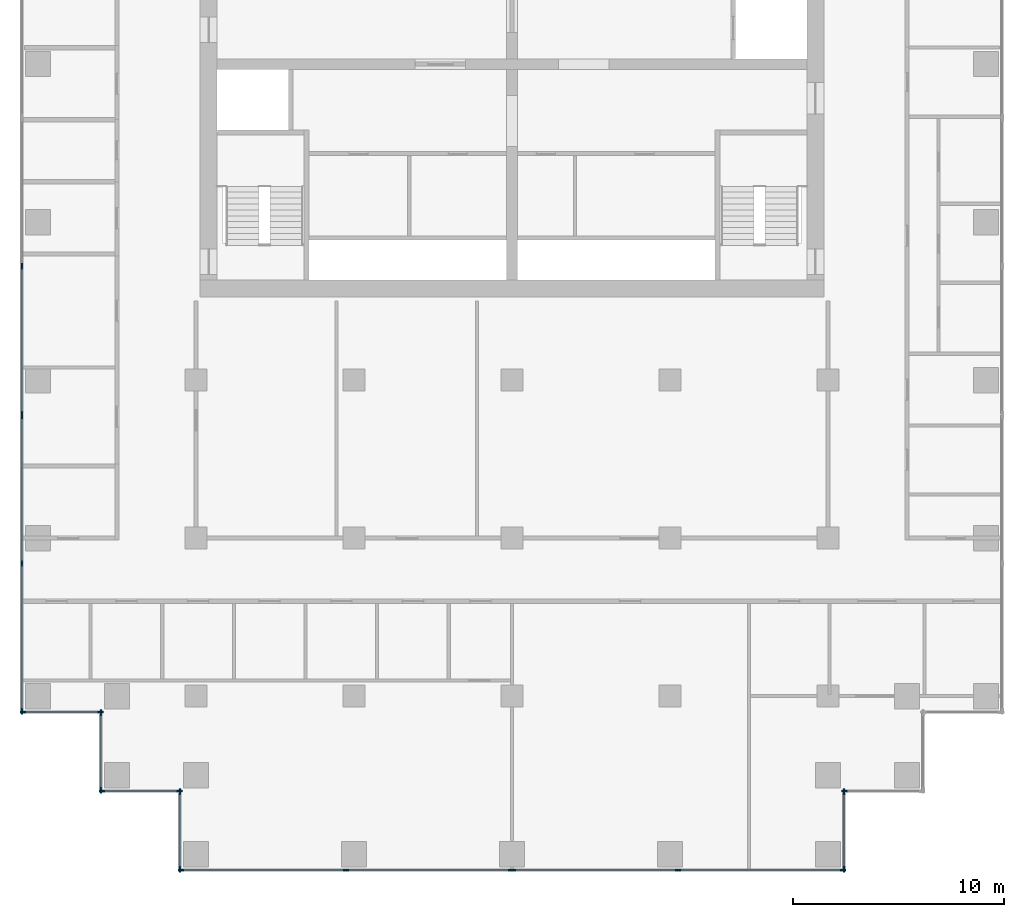
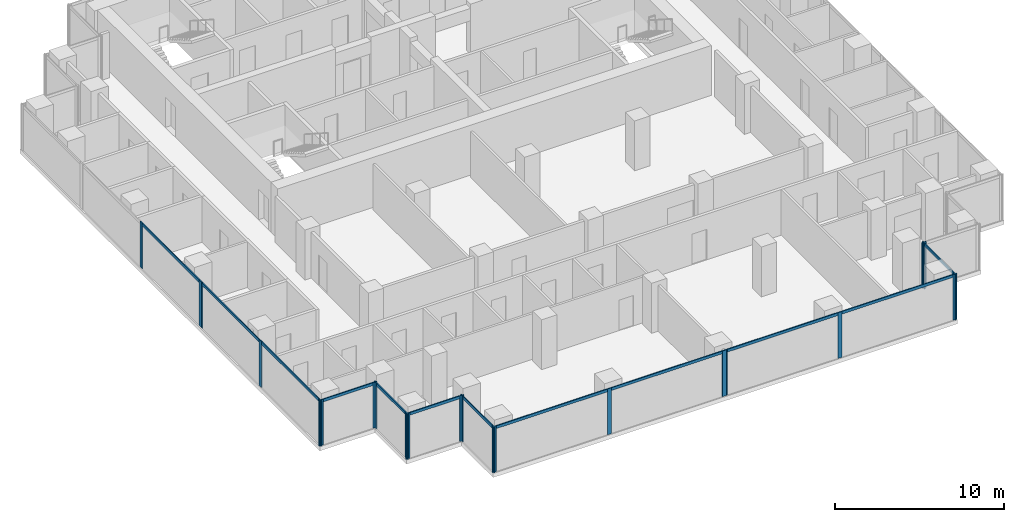
# One storey, part 2 of 11: 34 members, 10 elements without a shape of their own.
"""IFC4 building model written with IfcOpenShell, lengths in metres."""

from ifc_helpers import new_model, si_unit, direction, frame, origin, origin_2d, place, context, subcontext, project, spatial, rectangle, extrude, material, material_profile, profile_set, type_object, element, aggregate, save


model = new_model("IFC4")

# Units and contexts
model_context = context("Model", 3, precision=1e-05, world=origin(), true_north=direction((0.0, 1.0)))
body_context = subcontext(model_context, "Body", "Model", "MODEL_VIEW")
ifc_project = project(units=[si_unit("LENGTHUNIT", "METRE"), si_unit("AREAUNIT", "SQUARE_METRE"), si_unit("VOLUMEUNIT", "CUBIC_METRE"), si_unit("PLANEANGLEUNIT", "RADIAN"), si_unit("MASSUNIT", "GRAM", prefix="KILO")], contexts=[model_context])

# Site, building, storey
site_placement = place(None, origin())
site = spatial("IfcSite", under=ifc_project, at=site_placement, CompositionType="ELEMENT")
building_placement = place(site_placement, origin())
building = spatial("IfcBuilding", under=site, at=building_placement, Name="Pilkhan Gate Tower", CompositionType="ELEMENT")
storey_placement = place(building_placement, frame((0.0, 0.0, 151.300048828125)))
storey = spatial("IfcBuildingStorey", under=building, at=storey_placement, Name="L38", CompositionType="ELEMENT", Elevation=151.300048828125)

# Curtain wall, members
ifc_material_1 = material(Name="Pale anodised aluminium, clear low-iron double glazing", Category="aluminium")
curtain_wall_type = type_object("IfcCurtainWallType", Name="Office unitised curtain wall CW-O1", PredefinedType="USERDEFINED", material=ifc_material_1)
curtain_wall_1_placement = place(storey_placement, origin())
curtain_wall_1 = element("IfcCurtainWall", 1, at=curtain_wall_1_placement, inside=storey, type_object=curtain_wall_type, Name="Office unitised curtain wall CW-O1 L38 W", ObjectType="UNITISED CURTAIN WALL", PredefinedType="USERDEFINED")
ifc_material_2 = material(Name="Pale anodised aluminium", Category="aluminium")
ifc_material_profile_1 = material_profile(ifc_material_2, rectangle(XDim=0.070068359375, YDim=0.27490234375, at=origin_2d()), Name="Mullion 275x70")
ifc_profile_set_1 = profile_set([ifc_material_profile_1], Name="Pale anodised aluminium")
member_type_1 = type_object("IfcMemberType", Name="Mullion CW-O1 275x70", PredefinedType="MULLION", material=ifc_profile_set_1)
member_1_placement = place(storey_placement, frame((51.75, 51.784912109375, 0.0), z_axis=(0.0, 0.0, 1.0), x_axis=(-1.0, 0.0, 0.0)))
member_1 = element("IfcMember", 2, at=member_1_placement, type_object=member_type_1, Name="CW-O1 mullion 1", PredefinedType="MULLION", context=body_context, shape_type="SweptSolid", body=[
    extrude(rectangle(XDim=0.070068359375, YDim=0.27490234375, at=origin_2d()), origin(), (0.0, 0.0, 1.0), 3.300048828125),
])
member_2_placement = place(storey_placement, frame((51.75, 58.800048828125, 0.0), z_axis=(0.0, 0.0, 1.0), x_axis=(-1.0, 0.0, 0.0)))
member_2 = element("IfcMember", 3, at=member_2_placement, type_object=member_type_1, Name="CW-O1 mullion 2", PredefinedType="MULLION", context=body_context, shape_type="SweptSolid", body=[
    extrude(rectangle(XDim=0.070068359375, YDim=0.27490234375, at=origin_2d()), origin(), (0.0, 0.0, 1.0), 3.300048828125),
])
member_3_placement = place(storey_placement, frame((51.75, 65.81494140625, 0.0), z_axis=(0.0, 0.0, 1.0), x_axis=(-1.0, 0.0, 0.0)))
member_3 = element("IfcMember", 4, at=member_3_placement, type_object=member_type_1, Name="CW-O1 mullion 3", PredefinedType="MULLION", context=body_context, shape_type="SweptSolid", body=[
    extrude(rectangle(XDim=0.070068359375, YDim=0.27490234375, at=origin_2d()), origin(), (0.0, 0.0, 1.0), 3.300048828125),
])

curtain_wall_2_placement = place(storey_placement, origin())
curtain_wall_2 = element("IfcCurtainWall", 5, at=curtain_wall_2_placement, inside=storey, type_object=curtain_wall_type, Name="Office unitised curtain wall CW-O1 L38 W", ObjectType="UNITISED CURTAIN WALL", PredefinedType="USERDEFINED")
member_4_placement = place(storey_placement, frame((51.75, 65.885009765625, 0.0), z_axis=(0.0, 0.0, 1.0), x_axis=(-1.0, 0.0, 0.0)))
member_4 = element("IfcMember", 6, at=member_4_placement, type_object=member_type_1, Name="CW-O1 mullion 1", PredefinedType="MULLION", context=body_context, shape_type="SweptSolid", body=[
    extrude(rectangle(XDim=0.070068359375, YDim=0.27490234375, at=origin_2d()), origin(), (0.0, 0.0, 1.0), 3.300048828125),
])
member_5_placement = place(storey_placement, frame((51.75, 72.89990234375, 0.0), z_axis=(0.0, 0.0, 1.0), x_axis=(-1.0, 0.0, 0.0)))
member_5 = element("IfcMember", 7, at=member_5_placement, type_object=member_type_1, Name="CW-O1 mullion 2", PredefinedType="MULLION", context=body_context, shape_type="SweptSolid", body=[
    extrude(rectangle(XDim=0.070068359375, YDim=0.27490234375, at=origin_2d()), origin(), (0.0, 0.0, 1.0), 3.300048828125),
])

curtain_wall_3_placement = place(storey_placement, origin())
curtain_wall_3 = element("IfcCurtainWall", 8, at=curtain_wall_3_placement, inside=storey, type_object=curtain_wall_type, Name="Office unitised curtain wall CW-O1 L38 S", ObjectType="UNITISED CURTAIN WALL", PredefinedType="USERDEFINED")
member_6_placement = place(storey_placement, frame((51.784912109375, 51.75, 0.0), z_axis=(0.0, 0.0, 1.0), x_axis=(0.0, 1.0, 0.0)))
member_6 = element("IfcMember", 9, at=member_6_placement, type_object=member_type_1, Name="CW-O1 mullion 1", PredefinedType="MULLION", context=body_context, shape_type="SweptSolid", body=[
    extrude(rectangle(XDim=0.070068359375, YDim=0.27490234375, at=origin_2d()), origin(), (0.0, 0.0, 1.0), 3.300048828125),
])
member_7_placement = place(storey_placement, frame((55.465087890625, 51.75, 0.0), z_axis=(0.0, 0.0, 1.0), x_axis=(0.0, 1.0, 0.0)))
member_7 = element("IfcMember", 10, at=member_7_placement, type_object=member_type_1, Name="CW-O1 mullion 2", PredefinedType="MULLION", context=body_context, shape_type="SweptSolid", body=[
    extrude(rectangle(XDim=0.070068359375, YDim=0.27490234375, at=origin_2d()), origin(), (0.0, 0.0, 1.0), 3.300048828125),
])

curtain_wall_4_placement = place(storey_placement, origin())
curtain_wall_4 = element("IfcCurtainWall", 11, at=curtain_wall_4_placement, inside=storey, type_object=curtain_wall_type, Name="Office unitised curtain wall CW-O1 L38 W", ObjectType="UNITISED CURTAIN WALL", PredefinedType="USERDEFINED")
member_8_placement = place(storey_placement, frame((55.5, 48.034912109375, 0.0), z_axis=(0.0, 0.0, 1.0), x_axis=(-1.0, 0.0, 0.0)))
member_8 = element("IfcMember", 12, at=member_8_placement, type_object=member_type_1, Name="CW-O1 mullion 1", PredefinedType="MULLION", context=body_context, shape_type="SweptSolid", body=[
    extrude(rectangle(XDim=0.070068359375, YDim=0.27490234375, at=origin_2d()), origin(), (0.0, 0.0, 1.0), 3.300048828125),
])
member_9_placement = place(storey_placement, frame((55.5, 51.715087890625, 0.0), z_axis=(0.0, 0.0, 1.0), x_axis=(-1.0, 0.0, 0.0)))
member_9 = element("IfcMember", 13, at=member_9_placement, type_object=member_type_1, Name="CW-O1 mullion 2", PredefinedType="MULLION", context=body_context, shape_type="SweptSolid", body=[
    extrude(rectangle(XDim=0.070068359375, YDim=0.27490234375, at=origin_2d()), origin(), (0.0, 0.0, 1.0), 3.300048828125),
])

curtain_wall_5_placement = place(storey_placement, origin())
curtain_wall_5 = element("IfcCurtainWall", 14, at=curtain_wall_5_placement, inside=storey, type_object=curtain_wall_type, Name="Office unitised curtain wall CW-O1 L38 S", ObjectType="UNITISED CURTAIN WALL", PredefinedType="USERDEFINED")
member_10_placement = place(storey_placement, frame((55.534912109375, 48.0, 0.0), z_axis=(0.0, 0.0, 1.0), x_axis=(0.0, 1.0, 0.0)))
member_10 = element("IfcMember", 15, at=member_10_placement, type_object=member_type_1, Name="CW-O1 mullion 1", PredefinedType="MULLION", context=body_context, shape_type="SweptSolid", body=[
    extrude(rectangle(XDim=0.070068359375, YDim=0.27490234375, at=origin_2d()), origin(), (0.0, 0.0, 1.0), 3.300048828125),
])
member_11_placement = place(storey_placement, frame((59.215087890625, 48.0, 0.0), z_axis=(0.0, 0.0, 1.0), x_axis=(0.0, 1.0, 0.0)))
member_11 = element("IfcMember", 16, at=member_11_placement, type_object=member_type_1, Name="CW-O1 mullion 2", PredefinedType="MULLION", context=body_context, shape_type="SweptSolid", body=[
    extrude(rectangle(XDim=0.070068359375, YDim=0.27490234375, at=origin_2d()), origin(), (0.0, 0.0, 1.0), 3.300048828125),
])

curtain_wall_6_placement = place(storey_placement, origin())
curtain_wall_6 = element("IfcCurtainWall", 17, at=curtain_wall_6_placement, inside=storey, type_object=curtain_wall_type, Name="Office unitised curtain wall CW-O1 L38 W", ObjectType="UNITISED CURTAIN WALL", PredefinedType="USERDEFINED")
member_12_placement = place(storey_placement, frame((59.25, 44.284912109375, 0.0), z_axis=(0.0, 0.0, 1.0), x_axis=(-1.0, 0.0, 0.0)))
member_12 = element("IfcMember", 18, at=member_12_placement, type_object=member_type_1, Name="CW-O1 mullion 1", PredefinedType="MULLION", context=body_context, shape_type="SweptSolid", body=[
    extrude(rectangle(XDim=0.070068359375, YDim=0.27490234375, at=origin_2d()), origin(), (0.0, 0.0, 1.0), 3.300048828125),
])
member_13_placement = place(storey_placement, frame((59.25, 47.965087890625, 0.0), z_axis=(0.0, 0.0, 1.0), x_axis=(-1.0, 0.0, 0.0)))
member_13 = element("IfcMember", 19, at=member_13_placement, type_object=member_type_1, Name="CW-O1 mullion 2", PredefinedType="MULLION", context=body_context, shape_type="SweptSolid", body=[
    extrude(rectangle(XDim=0.070068359375, YDim=0.27490234375, at=origin_2d()), origin(), (0.0, 0.0, 1.0), 3.300048828125),
])

curtain_wall_7_placement = place(storey_placement, origin())
curtain_wall_7 = element("IfcCurtainWall", 20, at=curtain_wall_7_placement, inside=storey, type_object=curtain_wall_type, Name="Office unitised curtain wall CW-O1 L38 S", ObjectType="UNITISED CURTAIN WALL", PredefinedType="USERDEFINED")
member_14_placement = place(storey_placement, frame((59.284912109375, 44.25, 0.0), z_axis=(0.0, 0.0, 1.0), x_axis=(0.0, 1.0, 0.0)))
member_14 = element("IfcMember", 21, at=member_14_placement, type_object=member_type_1, Name="CW-O1 mullion 1", PredefinedType="MULLION", context=body_context, shape_type="SweptSolid", body=[
    extrude(rectangle(XDim=0.070068359375, YDim=0.27490234375, at=origin_2d()), origin(), (0.0, 0.0, 1.0), 3.300048828125),
])
member_15_placement = place(storey_placement, frame((67.125, 44.25, 0.0), z_axis=(0.0, 0.0, 1.0), x_axis=(0.0, 1.0, 0.0)))
member_15 = element("IfcMember", 22, at=member_15_placement, type_object=member_type_1, Name="CW-O1 mullion 2", PredefinedType="MULLION", context=body_context, shape_type="SweptSolid", body=[
    extrude(rectangle(XDim=0.070068359375, YDim=0.27490234375, at=origin_2d()), origin(), (0.0, 0.0, 1.0), 3.300048828125),
])
member_16_placement = place(storey_placement, frame((74.965087890625, 44.25, 0.0), z_axis=(0.0, 0.0, 1.0), x_axis=(0.0, 1.0, 0.0)))
member_16 = element("IfcMember", 23, at=member_16_placement, type_object=member_type_1, Name="CW-O1 mullion 3", PredefinedType="MULLION", context=body_context, shape_type="SweptSolid", body=[
    extrude(rectangle(XDim=0.070068359375, YDim=0.27490234375, at=origin_2d()), origin(), (0.0, 0.0, 1.0), 3.300048828125),
])

curtain_wall_8_placement = place(storey_placement, origin())
curtain_wall_8 = element("IfcCurtainWall", 24, at=curtain_wall_8_placement, inside=storey, type_object=curtain_wall_type, Name="Office unitised curtain wall CW-O1 L38 S", ObjectType="UNITISED CURTAIN WALL", PredefinedType="USERDEFINED")
member_17_placement = place(storey_placement, frame((75.034912109375, 44.25, 0.0), z_axis=(0.0, 0.0, 1.0), x_axis=(0.0, 1.0, 0.0)))
member_17 = element("IfcMember", 25, at=member_17_placement, type_object=member_type_1, Name="CW-O1 mullion 1", PredefinedType="MULLION", context=body_context, shape_type="SweptSolid", body=[
    extrude(rectangle(XDim=0.070068359375, YDim=0.27490234375, at=origin_2d()), origin(), (0.0, 0.0, 1.0), 3.300048828125),
])
member_18_placement = place(storey_placement, frame((82.875, 44.25, 0.0), z_axis=(0.0, 0.0, 1.0), x_axis=(0.0, 1.0, 0.0)))
member_18 = element("IfcMember", 26, at=member_18_placement, type_object=member_type_1, Name="CW-O1 mullion 2", PredefinedType="MULLION", context=body_context, shape_type="SweptSolid", body=[
    extrude(rectangle(XDim=0.070068359375, YDim=0.27490234375, at=origin_2d()), origin(), (0.0, 0.0, 1.0), 3.300048828125),
])
member_19_placement = place(storey_placement, frame((90.715087890625, 44.25, 0.0), z_axis=(0.0, 0.0, 1.0), x_axis=(0.0, 1.0, 0.0)))
member_19 = element("IfcMember", 27, at=member_19_placement, type_object=member_type_1, Name="CW-O1 mullion 3", PredefinedType="MULLION", context=body_context, shape_type="SweptSolid", body=[
    extrude(rectangle(XDim=0.070068359375, YDim=0.27490234375, at=origin_2d()), origin(), (0.0, 0.0, 1.0), 3.300048828125),
])

curtain_wall_9_placement = place(storey_placement, origin())
curtain_wall_9 = element("IfcCurtainWall", 28, at=curtain_wall_9_placement, inside=storey, type_object=curtain_wall_type, Name="Office unitised curtain wall CW-O1 L38 E", ObjectType="UNITISED CURTAIN WALL", PredefinedType="USERDEFINED")
member_20_placement = place(storey_placement, frame((90.75, 44.284912109375, 0.0), z_axis=(0.0, 0.0, 1.0), x_axis=(-1.0, 0.0, 0.0)))
member_20 = element("IfcMember", 29, at=member_20_placement, type_object=member_type_1, Name="CW-O1 mullion 1", PredefinedType="MULLION", context=body_context, shape_type="SweptSolid", body=[
    extrude(rectangle(XDim=0.070068359375, YDim=0.27490234375, at=origin_2d()), origin(), (0.0, 0.0, 1.0), 3.300048828125),
])
member_21_placement = place(storey_placement, frame((90.75, 47.965087890625, 0.0), z_axis=(0.0, 0.0, 1.0), x_axis=(-1.0, 0.0, 0.0)))
member_21 = element("IfcMember", 30, at=member_21_placement, type_object=member_type_1, Name="CW-O1 mullion 2", PredefinedType="MULLION", context=body_context, shape_type="SweptSolid", body=[
    extrude(rectangle(XDim=0.070068359375, YDim=0.27490234375, at=origin_2d()), origin(), (0.0, 0.0, 1.0), 3.300048828125),
])

# Curtain wall, member
curtain_wall_10_placement = place(storey_placement, origin())
curtain_wall_10 = element("IfcCurtainWall", 31, at=curtain_wall_10_placement, inside=storey, type_object=curtain_wall_type, Name="Office unitised curtain wall CW-O1 L38 S", ObjectType="UNITISED CURTAIN WALL", PredefinedType="USERDEFINED")
member_22_placement = place(storey_placement, frame((90.784912109375, 48.0, 0.0), z_axis=(0.0, 0.0, 1.0), x_axis=(0.0, 1.0, 0.0)))
member_22 = element("IfcMember", 32, at=member_22_placement, type_object=member_type_1, Name="CW-O1 mullion 1", PredefinedType="MULLION", context=body_context, shape_type="SweptSolid", body=[
    extrude(rectangle(XDim=0.070068359375, YDim=0.27490234375, at=origin_2d()), origin(), (0.0, 0.0, 1.0), 3.300048828125),
])
aggregate(curtain_wall_10, [member_22])

# Member
ifc_material_profile_2 = material_profile(ifc_material_2, rectangle(XDim=0.070068359375, YDim=0.199951171875, at=origin_2d()), Name="Transom 200x70")
ifc_profile_set_2 = profile_set([ifc_material_profile_2], Name="Pale anodised aluminium")
member_type_2 = type_object("IfcMemberType", Name="Transom CW-O1 200x70", PredefinedType="USERDEFINED", material=ifc_profile_set_2)
member_23_placement = place(storey_placement, frame((51.75, 51.820068359375, 3.199951171875), z_axis=(0.0, 1.0, 0.0), x_axis=(-1.0, 0.0, 0.0)))
member_23 = element("IfcMember", 33, at=member_23_placement, type_object=member_type_2, Name="CW-O1 transom 1", ObjectType="TRANSOM", PredefinedType="USERDEFINED", context=body_context, shape_type="SweptSolid", body=[
    extrude(rectangle(XDim=0.070068359375, YDim=0.199951171875, at=origin_2d()), origin(), (0.0, 0.0, 1.0), 6.94482421875),
])

member_24_placement = place(storey_placement, frame((51.75, 58.8349609375, 3.199951171875), z_axis=(0.0, 1.0, 0.0), x_axis=(-1.0, 0.0, 0.0)))
member_24 = element("IfcMember", 34, at=member_24_placement, type_object=member_type_2, Name="CW-O1 transom 2", ObjectType="TRANSOM", PredefinedType="USERDEFINED", context=body_context, shape_type="SweptSolid", body=[
    extrude(rectangle(XDim=0.070068359375, YDim=0.199951171875, at=origin_2d()), origin(), (0.0, 0.0, 1.0), 6.945068359375),
])

aggregate(curtain_wall_1, [member_1, member_2, member_3, member_23, member_24])

member_25_placement = place(storey_placement, frame((51.75, 65.919921875, 3.199951171875), z_axis=(0.0, 1.0, 0.0), x_axis=(-1.0, 0.0, 0.0)))
member_25 = element("IfcMember", 35, at=member_25_placement, type_object=member_type_2, Name="CW-O1 transom 1", ObjectType="TRANSOM", PredefinedType="USERDEFINED", context=body_context, shape_type="SweptSolid", body=[
    extrude(rectangle(XDim=0.070068359375, YDim=0.199951171875, at=origin_2d()), origin(), (0.0, 0.0, 1.0), 6.945068359375),
])

aggregate(curtain_wall_2, [member_4, member_5, member_25])

member_26_placement = place(storey_placement, frame((51.820068359375, 51.75, 3.199951171875), z_axis=(1.0, 0.0, 0.0), x_axis=(0.0, 1.0, 0.0)))
member_26 = element("IfcMember", 36, at=member_26_placement, type_object=member_type_2, Name="CW-O1 transom 1", ObjectType="TRANSOM", PredefinedType="USERDEFINED", context=body_context, shape_type="SweptSolid", body=[
    extrude(rectangle(XDim=0.070068359375, YDim=0.199951171875, at=origin_2d()), origin(), (0.0, 0.0, 1.0), 3.60986328125),
])

aggregate(curtain_wall_3, [member_6, member_7, member_26])

member_27_placement = place(storey_placement, frame((55.5, 48.070068359375, 3.199951171875), z_axis=(0.0, 1.0, 0.0), x_axis=(-1.0, 0.0, 0.0)))
member_27 = element("IfcMember", 37, at=member_27_placement, type_object=member_type_2, Name="CW-O1 transom 1", ObjectType="TRANSOM", PredefinedType="USERDEFINED", context=body_context, shape_type="SweptSolid", body=[
    extrude(rectangle(XDim=0.070068359375, YDim=0.199951171875, at=origin_2d()), origin(), (0.0, 0.0, 1.0), 3.60986328125),
])

aggregate(curtain_wall_4, [member_8, member_9, member_27])

member_28_placement = place(storey_placement, frame((55.570068359375, 48.0, 3.199951171875), z_axis=(1.0, 0.0, 0.0), x_axis=(0.0, 1.0, 0.0)))
member_28 = element("IfcMember", 38, at=member_28_placement, type_object=member_type_2, Name="CW-O1 transom 1", ObjectType="TRANSOM", PredefinedType="USERDEFINED", context=body_context, shape_type="SweptSolid", body=[
    extrude(rectangle(XDim=0.070068359375, YDim=0.199951171875, at=origin_2d()), origin(), (0.0, 0.0, 1.0), 3.60986328125),
])

aggregate(curtain_wall_5, [member_10, member_11, member_28])

member_29_placement = place(storey_placement, frame((59.25, 44.320068359375, 3.199951171875), z_axis=(0.0, 1.0, 0.0), x_axis=(-1.0, 0.0, 0.0)))
member_29 = element("IfcMember", 39, at=member_29_placement, type_object=member_type_2, Name="CW-O1 transom 1", ObjectType="TRANSOM", PredefinedType="USERDEFINED", context=body_context, shape_type="SweptSolid", body=[
    extrude(rectangle(XDim=0.070068359375, YDim=0.199951171875, at=origin_2d()), origin(), (0.0, 0.0, 1.0), 3.60986328125),
])

aggregate(curtain_wall_6, [member_12, member_13, member_29])

member_30_placement = place(storey_placement, frame((59.320068359375, 44.25, 3.199951171875), z_axis=(1.0, 0.0, 0.0), x_axis=(0.0, 1.0, 0.0)))
member_30 = element("IfcMember", 40, at=member_30_placement, type_object=member_type_2, Name="CW-O1 transom 1", ObjectType="TRANSOM", PredefinedType="USERDEFINED", context=body_context, shape_type="SweptSolid", body=[
    extrude(rectangle(XDim=0.070068359375, YDim=0.199951171875, at=origin_2d()), origin(), (0.0, 0.0, 1.0), 7.77001953125),
])

member_31_placement = place(storey_placement, frame((67.159912109375, 44.25, 3.199951171875), z_axis=(1.0, 0.0, 0.0), x_axis=(0.0, 1.0, 0.0)))
member_31 = element("IfcMember", 41, at=member_31_placement, type_object=member_type_2, Name="CW-O1 transom 2", ObjectType="TRANSOM", PredefinedType="USERDEFINED", context=body_context, shape_type="SweptSolid", body=[
    extrude(rectangle(XDim=0.070068359375, YDim=0.199951171875, at=origin_2d()), origin(), (0.0, 0.0, 1.0), 7.77001953125),
])

aggregate(curtain_wall_7, [member_14, member_15, member_16, member_30, member_31])

member_32_placement = place(storey_placement, frame((75.070068359375, 44.25, 3.199951171875), z_axis=(1.0, 0.0, 0.0), x_axis=(0.0, 1.0, 0.0)))
member_32 = element("IfcMember", 42, at=member_32_placement, type_object=member_type_2, Name="CW-O1 transom 1", ObjectType="TRANSOM", PredefinedType="USERDEFINED", context=body_context, shape_type="SweptSolid", body=[
    extrude(rectangle(XDim=0.070068359375, YDim=0.199951171875, at=origin_2d()), origin(), (0.0, 0.0, 1.0), 7.77001953125),
])

member_33_placement = place(storey_placement, frame((82.909912109375, 44.25, 3.199951171875), z_axis=(1.0, 0.0, 0.0), x_axis=(0.0, 1.0, 0.0)))
member_33 = element("IfcMember", 43, at=member_33_placement, type_object=member_type_2, Name="CW-O1 transom 2", ObjectType="TRANSOM", PredefinedType="USERDEFINED", context=body_context, shape_type="SweptSolid", body=[
    extrude(rectangle(XDim=0.070068359375, YDim=0.199951171875, at=origin_2d()), origin(), (0.0, 0.0, 1.0), 7.77001953125),
])

aggregate(curtain_wall_8, [member_17, member_18, member_19, member_32, member_33])

member_34_placement = place(storey_placement, frame((90.75, 44.320068359375, 3.199951171875), z_axis=(0.0, 1.0, 0.0), x_axis=(-1.0, 0.0, 0.0)))
member_34 = element("IfcMember", 44, at=member_34_placement, type_object=member_type_2, Name="CW-O1 transom 1", ObjectType="TRANSOM", PredefinedType="USERDEFINED", context=body_context, shape_type="SweptSolid", body=[
    extrude(rectangle(XDim=0.070068359375, YDim=0.199951171875, at=origin_2d()), origin(), (0.0, 0.0, 1.0), 3.60986328125),
])

aggregate(curtain_wall_9, [member_20, member_21, member_34])

save(model, "model.ifc")
